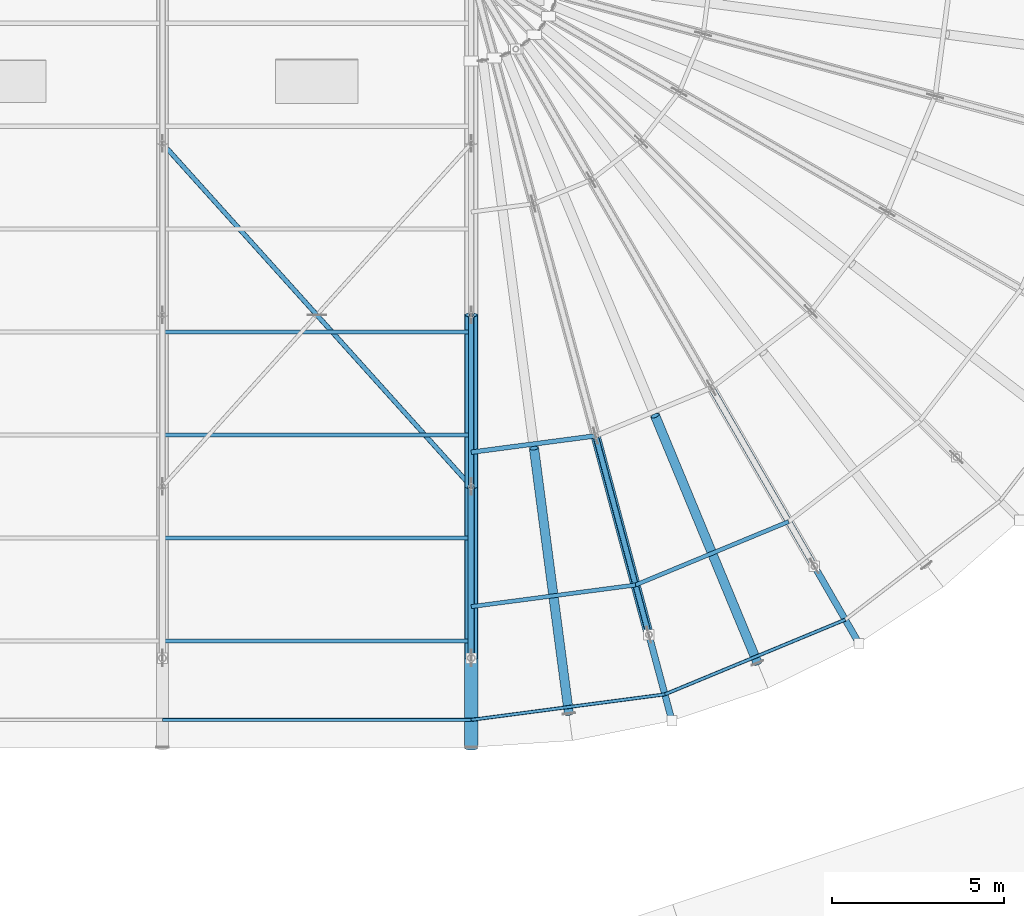
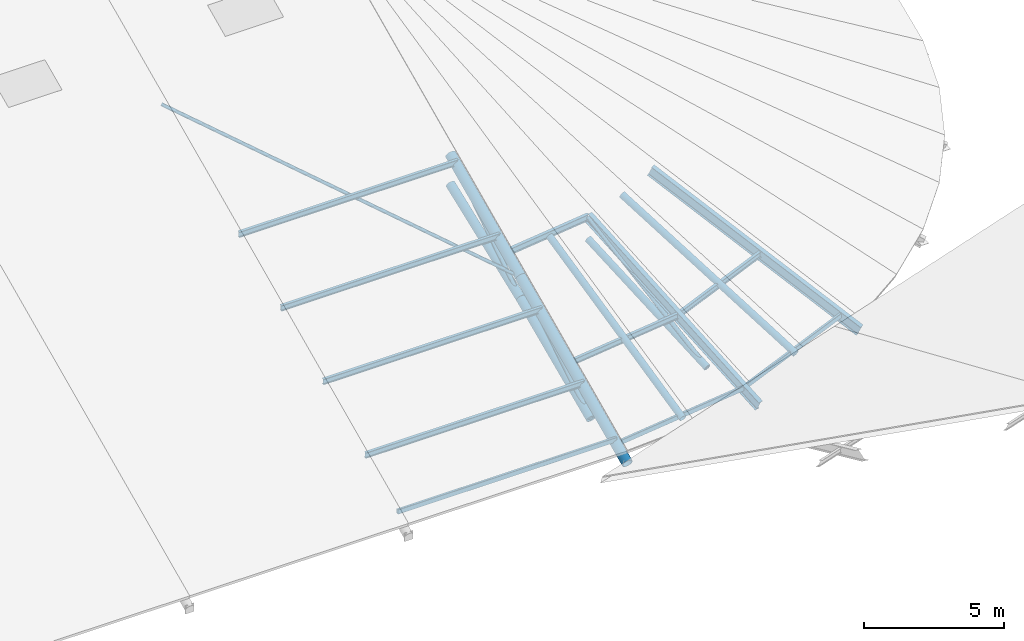
# One storey, part 33 of 107: 23 members.
"""IFC4 building model written with IfcOpenShell, lengths in metres."""

from ifc_helpers import new_model, si_unit, derived_unit, direction, frame, origin, origin_2d, place, context, subcontext, project, spatial, hollow_rectangle, hollow_circle, i_section, extrude, material, material_profile, profile_set, type_object, element, save


model = new_model("IFC4")

# Units and contexts
model_context = context("Model", 3, precision=1e-05, world=origin(), true_north=direction((0.0, 1.0)))
body_context = subcontext(model_context, "Body", "Model", "MODEL_VIEW")
ifc_project = project(units=[si_unit("LENGTHUNIT", "METRE"), si_unit("AREAUNIT", "SQUARE_METRE"), si_unit("VOLUMEUNIT", "CUBIC_METRE"), si_unit("PLANEANGLEUNIT", "RADIAN"), si_unit("MASSUNIT", "GRAM", prefix="KILO"), si_unit("THERMODYNAMICTEMPERATUREUNIT", "KELVIN"), si_unit("TIMEUNIT", "SECOND"), derived_unit("THERMALTRANSMITTANCEUNIT", [(si_unit("MASSUNIT", "GRAM", prefix="KILO"), 1), (si_unit("THERMODYNAMICTEMPERATUREUNIT", "KELVIN"), -1), (si_unit("TIMEUNIT", "SECOND"), -3)])], contexts=[model_context])

# Site, building, storey
site_placement = place(None, origin())
site = spatial("IfcSite", under=ifc_project, at=site_placement, CompositionType="ELEMENT")
building_placement = place(site_placement, origin())
building = spatial("IfcBuilding", under=site, at=building_placement, Name="Cambertide Market Hall", CompositionType="ELEMENT")
storey_placement = place(building_placement, frame((0.0, 0.0, 18.300048828125)))
storey = spatial("IfcBuildingStorey", under=building, at=storey_placement, Name="RF", CompositionType="ELEMENT", Elevation=18.300048828125)

# Members
ifc_material_1 = material(Name="Steel S355", Category="steel")
ifc_material_profile_1 = material_profile(ifc_material_1, hollow_circle(Radius=0.136474609375, WallThickness=0.010009765625, at=origin_2d()), Name="CHS 273x10")
ifc_profile_set_1 = profile_set([ifc_material_profile_1], Name="Steel S355")
member_type_1 = type_object("IfcMemberType", Name="Arched Truss Chord CHS 273x10", PredefinedType="CHORD", material=ifc_profile_set_1)
member_1_placement = place(storey_placement, frame((108.62353515625, 58.47705078125, -7.756103515625), z_axis=(0.23710402823, -0.885001969521, -0.400690895506), x_axis=(0.965934430412, 0.258786931944, 0.0)))
element("IfcMember", 1, at=member_1_placement, inside=storey, type_object=member_type_1, Name="Half-Cone Radial Arch Chord E-02-3", PredefinedType="CHORD", context=body_context, shape_type="SweptSolid", body=[
    extrude(hollow_circle(Radius=0.136474609375, WallThickness=0.010009765625, at=origin_2d()), origin(), (0.0, 0.0, 1.0), 6.548828125),
])
ifc_material_2 = material(Name="Steel S355", Category="steel")
ifc_material_profile_2 = material_profile(ifc_material_2, hollow_circle(Radius=0.177734375, WallThickness=0.012451171875, at=origin_2d()), Name="CHS 355.6x12.5")
ifc_profile_set_2 = profile_set([ifc_material_profile_2], Name="Steel S355")
member_type_2 = type_object("IfcMemberType", Name="Arched Truss Chord CHS 355.6x12.5", PredefinedType="CHORD", material=ifc_profile_set_2)
member_2_placement = place(storey_placement, frame((105.0, 52.0, -10.380126953125), z_axis=(0.0, 0.915087583381, 0.403255148438), x_axis=(-1.0, 0.0, 0.0)))
element("IfcMember", 2, at=member_2_placement, inside=storey, type_object=member_type_2, Name="Roof Truss 8 Arched Bottom Chord 1", PredefinedType="CHORD", context=body_context, shape_type="SweptSolid", body=[
    extrude(hollow_circle(Radius=0.177734375, WallThickness=0.012451171875, at=origin_2d()), origin(), (0.0, 0.0, 1.0), 5.4638671875),
])
member_3_placement = place(storey_placement, frame((105.0, 57.0, -8.1767578125), z_axis=(0.0, 0.933191676524, 0.359379040661), x_axis=(-1.0, 0.0, 0.0)))
element("IfcMember", 3, at=member_3_placement, inside=storey, type_object=member_type_2, Name="Roof Truss 8 Arched Bottom Chord 2", PredefinedType="CHORD", context=body_context, shape_type="SweptSolid", body=[
    extrude(hollow_circle(Radius=0.177734375, WallThickness=0.012451171875, at=origin_2d()), origin(), (0.0, 0.0, 1.0), 5.35791015625),
])
ifc_material_3 = material(Name="Steel S355", Category="steel")
ifc_material_profile_3 = material_profile(ifc_material_3, hollow_circle(Radius=0.203125, WallThickness=0.01416015625, at=origin_2d()), Name="CHS 406.4x14.2")
ifc_profile_set_3 = profile_set([ifc_material_profile_3], Name="Steel S355")
member_type_3 = type_object("IfcMemberType", Name="Arched Truss Chord CHS 406.4x14.2", PredefinedType="CHORD", material=ifc_profile_set_3)
member_4_placement = place(storey_placement, frame((105.0, 57.0, -7.25), z_axis=(0.0, 0.908487084298, 0.417912930721), x_axis=(-1.0, 0.0, 0.0)))
element("IfcMember", 4, at=member_4_placement, inside=storey, type_object=member_type_3, Name="Roof Truss 8 Top Chord 2", PredefinedType="CHORD", context=body_context, shape_type="SweptSolid", body=[
    extrude(hollow_circle(Radius=0.203125, WallThickness=0.01416015625, at=origin_2d()), origin(), (0.0, 0.0, 1.0), 5.503662109375),
])
ifc_material_4 = material(Name="Steel S355", Category="steel")
ifc_material_profile_4 = material_profile(ifc_material_4, hollow_circle(Radius=0.203125, WallThickness=0.01416015625, at=origin_2d()), Name="CHS 406.4x14.2")
ifc_profile_set_4 = profile_set([ifc_material_profile_4], Name="Steel S355")
member_type_4 = type_object("IfcMemberType", Name="Exterior Arched Truss Chord CHS 406.4x14.2", PredefinedType="CHORD", material=ifc_profile_set_4)
member_5_placement = place(storey_placement, frame((105.0, 49.39990234375, -10.74609375), z_axis=(0.0, 0.908488236671, 0.417910425606), x_axis=(-1.0, 0.0, 0.0)))
element("IfcMember", 5, at=member_5_placement, inside=storey, type_object=member_type_4, Name="Roof Truss 8 Top Chord 1", PredefinedType="CHORD", context=body_context, shape_type="SweptSolid", body=[
    extrude(hollow_circle(Radius=0.203125, WallThickness=0.01416015625, at=origin_2d()), origin(), (0.0, 0.0, 1.0), 8.36572265625),
])
ifc_material_5 = material(Name="Steel S355", Category="steel")
ifc_material_profile_5 = material_profile(ifc_material_5, hollow_circle(Radius=0.136474609375, WallThickness=0.010009765625, at=origin_2d()), Name="CHS 273x10")
ifc_profile_set_5 = profile_set([ifc_material_profile_5], Name="Steel S355")
member_type_5 = type_object("IfcMemberType", Name="Exterior Radial Fan Rafter CHS 273x10", PredefinedType="RAFTER", material=ifc_profile_set_5)
for number, where, z_axis, x_axis, name in (
    (6, (106.827392578125, 58.119873046875, -6.7900390625), (0.118576480501, -0.900726282096, -0.417889678043), (0.991445770734, 0.130519284757, 0.0), "RAF-E-01-B"),
    (7, (110.357666015625, 59.065673828125, -6.7900390625), (0.347657877112, -0.839343821258, -0.417894663997), (0.923883314027, 0.382674302852, 0.0), "RAF-E-03-B"),
):
    element("IfcMember", number, at=place(storey_placement, frame(where, z_axis=z_axis, x_axis=x_axis)), inside=storey, type_object=member_type_5, Name=name, PredefinedType="RAFTER", context=body_context, shape_type="SweptSolid", body=[
        extrude(hollow_circle(Radius=0.136474609375, WallThickness=0.010009765625, at=origin_2d()), origin(), (0.0, 0.0, 1.0), 8.585693359375),
    ])
ifc_material_6 = material(Name="Steel S355", Category="steel")
ifc_material_profile_6 = material_profile(ifc_material_6, i_section(OverallWidth=0.18994140625, OverallDepth=0.449951171875, WebThickness=0.009521484375, FlangeThickness=0.0146484375, FilletRadius=0.02099609375, at=origin_2d()), Name="IPE 450")
ifc_profile_set_6 = profile_set([ifc_material_profile_6], Name="Steel S355")
member_type_6 = type_object("IfcMemberType", Name="Exterior Radial Fan Rafter IPE 450", PredefinedType="RAFTER", material=ifc_profile_set_6)
member_6_placement = place(storey_placement, frame((108.62353515625, 58.47705078125, -6.7900390625), z_axis=(0.235134381364, -0.877530692762, -0.417913514931), x_axis=(0.965925622404, 0.258819806009, 0.0)))
element("IfcMember", 8, at=member_6_placement, inside=storey, type_object=member_type_6, Name="Half-Cone Radial Truss Rafter E-02-3", PredefinedType="RAFTER", context=body_context, shape_type="SweptSolid", body=[
    extrude(i_section(OverallWidth=0.18994140625, OverallDepth=0.449951171875, WebThickness=0.009521484375, FlangeThickness=0.0146484375, FilletRadius=0.02099609375, at=origin_2d()), origin(), (0.0, 0.0, 1.0), 9.46630859375),
])
member_7_placement = place(storey_placement, frame((112.0, 59.875732421875, -6.7900390625), z_axis=(0.454241443881, -0.78677929532, -0.417903159975), x_axis=(0.866028165386, 0.499995216735, 0.0)))
element("IfcMember", 9, at=member_7_placement, inside=storey, type_object=member_type_6, Name="Half-Cone Radial Truss Rafter E-04-3", PredefinedType="RAFTER", context=body_context, shape_type="SweptSolid", body=[
    extrude(i_section(OverallWidth=0.18994140625, OverallDepth=0.449951171875, WebThickness=0.009521484375, FlangeThickness=0.0146484375, FilletRadius=0.02099609375, at=origin_2d()), origin(), (0.0, 0.0, 1.0), 9.466552734375),
])
ifc_material_7 = material(Name="Steel S275", Category="steel")
ifc_material_profile_7 = material_profile(ifc_material_7, hollow_rectangle(XDim=0.10009765625, YDim=0.199951171875, WallThickness=0.00634765625, InnerFilletRadius=0.00634765625, OuterFilletRadius=0.0126953125, at=origin_2d()), Name="RHS 200x100x6.3")
ifc_profile_set_7 = profile_set([ifc_material_profile_7], Name="Steel S275")
member_type_7 = type_object("IfcMemberType", Name="Exterior Roof Purlin RHS 200x100x6.3", PredefinedType="PURLIN", material=ifc_profile_set_7)
member_8_placement = place(storey_placement, frame((96.0, 50.199951171875, -10.16796875), z_axis=(1.0, 0.0, 0.0), x_axis=(0.0, 1.0, 0.0)))
element("IfcMember", 10, at=member_8_placement, inside=storey, type_object=member_type_7, Name="Barrel Roof Purlin 7-01", PredefinedType="PURLIN", context=body_context, shape_type="SweptSolid", body=[
    extrude(hollow_rectangle(XDim=0.10009765625, YDim=0.199951171875, WallThickness=0.00634765625, InnerFilletRadius=0.00634765625, OuterFilletRadius=0.0126953125, at=origin_2d()), origin(), (0.0, 0.0, 1.0), 9.0),
])
member_9_placement = place(storey_placement, frame((105.0, 50.199951171875, -10.3779296875), z_axis=(0.991442756491, 0.130542179395, 0.0), x_axis=(-0.130542179395, 0.991442756491, 0.0)))
element("IfcMember", 11, at=member_9_placement, inside=storey, type_object=member_type_7, Name="CPUR-E-218-01", PredefinedType="PURLIN", context=body_context, shape_type="SweptSolid", body=[
    extrude(hollow_rectangle(XDim=0.10009765625, YDim=0.199951171875, WallThickness=0.00634765625, InnerFilletRadius=0.00634765625, OuterFilletRadius=0.0126953125, at=origin_2d()), origin(), (0.0, 0.0, 1.0), 5.69091796875),
])
member_10_placement = place(storey_placement, frame((110.642333984375, 50.94287109375, -10.3779296875), z_axis=(0.923880883447, 0.382680170901, 0.0), x_axis=(-0.382680170901, 0.923880883447, 0.0)))
element("IfcMember", 12, at=member_10_placement, inside=storey, type_object=member_type_7, Name="CPUR-E-218-02", PredefinedType="PURLIN", context=body_context, shape_type="SweptSolid", body=[
    extrude(hollow_rectangle(XDim=0.10009765625, YDim=0.199951171875, WallThickness=0.00634765625, InnerFilletRadius=0.00634765625, OuterFilletRadius=0.0126953125, at=origin_2d()), origin(), (0.0, 0.0, 1.0), 5.690673828125),
])
ifc_material_8 = material(Name="Steel S275", Category="steel")
ifc_material_profile_8 = material_profile(ifc_material_8, i_section(OverallWidth=0.1201171875, OverallDepth=0.239990234375, WebThickness=0.006103515625, FlangeThickness=0.009765625, FilletRadius=0.014892578125, at=origin_2d()), Name="IPE 240")
ifc_profile_set_8 = profile_set([ifc_material_profile_8], Name="Steel S275")
member_type_8 = type_object("IfcMemberType", Name="Roof Purlin IPE 240", PredefinedType="PURLIN", material=ifc_profile_set_8)
for number, where, z_axis, x_axis, name in (
    (13, (96.0, 52.5, -9.110107421875), (1.0, 0.0, 0.0), (0.0, 1.0, 0.0), "Barrel Roof Purlin 7-02"),
    (14, (96.0, 55.5, -7.72998046875), (1.0, 0.0, 0.0), (0.0, 1.0, 0.0), "Barrel Roof Purlin 7-03"),
    (15, (96.0, 58.5, -6.35009765625), (1.0, 0.0, 0.0), (0.0, 1.0, 0.0), "Barrel Roof Purlin 7-04"),
    (16, (96.0, 61.5, -4.969970703125), (1.0, 0.0, 0.0), (0.0, 1.0, 0.0), "Barrel Roof Purlin 7-05"),
):
    element("IfcMember", number, at=place(storey_placement, frame(where, z_axis=z_axis, x_axis=x_axis)), inside=storey, type_object=member_type_8, Name=name, PredefinedType="PURLIN", context=body_context, shape_type="SweptSolid", body=[
        extrude(i_section(OverallWidth=0.1201171875, OverallDepth=0.239990234375, WebThickness=0.006103515625, FlangeThickness=0.009765625, FilletRadius=0.014892578125, at=origin_2d()), origin(), (0.0, 0.0, 1.0), 9.0),
    ])
member_11_placement = place(storey_placement, frame((105.0, 53.5, -8.860107421875), z_axis=(0.991444657148, 0.130527743461, 0.0), x_axis=(-0.130527743461, 0.991444657148, 0.0)))
element("IfcMember", 17, at=member_11_placement, inside=storey, type_object=member_type_8, Name="CPUR-E-185-01", PredefinedType="PURLIN", context=body_context, shape_type="SweptSolid", body=[
    extrude(i_section(OverallWidth=0.1201171875, OverallDepth=0.239990234375, WebThickness=0.006103515625, FlangeThickness=0.009765625, FilletRadius=0.014892578125, at=origin_2d()), origin(), (0.0, 0.0, 1.0), 4.829345703125),
])
member_12_placement = place(storey_placement, frame((109.7880859375, 54.13037109375, -8.860107421875), z_axis=(0.923882518405, 0.382676223699, 0.0), x_axis=(-0.382676223699, 0.923882518405, 0.0)))
element("IfcMember", 18, at=member_12_placement, inside=storey, type_object=member_type_8, Name="CPUR-E-185-02", PredefinedType="PURLIN", context=body_context, shape_type="SweptSolid", body=[
    extrude(i_section(OverallWidth=0.1201171875, OverallDepth=0.239990234375, WebThickness=0.006103515625, FlangeThickness=0.009765625, FilletRadius=0.014892578125, at=origin_2d()), origin(), (0.0, 0.0, 1.0), 4.82958984375),
])
ifc_material_9 = material(Name="Steel S275", Category="steel")
ifc_material_profile_9 = material_profile(ifc_material_9, i_section(OverallWidth=0.135009765625, OverallDepth=0.27001953125, WebThickness=0.006591796875, FlangeThickness=0.01025390625, FilletRadius=0.014892578125, at=origin_2d()), Name="IPE 270")
ifc_profile_set_9 = profile_set([ifc_material_profile_9], Name="Steel S275")
member_type_9 = type_object("IfcMemberType", Name="Roof Purlin IPE 270", PredefinedType="PURLIN", material=ifc_profile_set_9)
member_13_placement = place(storey_placement, frame((105.0, 58.0, -6.7900390625), z_axis=(0.991444743541, 0.130527087244, 0.0), x_axis=(-0.130527087244, 0.991444743541, 0.0)))
element("IfcMember", 19, at=member_13_placement, inside=storey, type_object=member_type_9, Name="CPUR-E-140-01", PredefinedType="PURLIN", context=body_context, shape_type="SweptSolid", body=[
    extrude(i_section(OverallWidth=0.135009765625, OverallDepth=0.27001953125, WebThickness=0.006591796875, FlangeThickness=0.01025390625, FilletRadius=0.014892578125, at=origin_2d()), origin(), (0.0, 0.0, 1.0), 3.65478515625),
])
ifc_material_10 = material(Name="Steel S275", Category="steel")
ifc_material_profile_10 = material_profile(ifc_material_10, hollow_circle(Radius=0.06982421875, WallThickness=0.0048828125, at=origin_2d()), Name="CHS 139.7x5")
ifc_profile_set_10 = profile_set([ifc_material_profile_10], Name="Steel S275")
member_type_10 = type_object("IfcMemberType", Name="Structural Brace CHS 139.7x5", PredefinedType="BRACE", material=ifc_profile_set_10)
member_14_placement = place(storey_placement, frame((96.0, 67.0, -2.650146484375), z_axis=(0.632989261711, -0.703321401901, -0.323517542315), x_axis=(0.743294146247, 0.668964731622, 0.0)))
element("IfcMember", 20, at=member_14_placement, inside=storey, type_object=member_type_10, Name="Roof Wind X-Brace Continuous Diagonal 7-S1", PredefinedType="BRACE", context=body_context, shape_type="SweptSolid", body=[
    extrude(hollow_circle(Radius=0.06982421875, WallThickness=0.0048828125, at=origin_2d()), origin(), (0.0, 0.0, 1.0), 14.21826171875),
])
ifc_material_11 = material(Name="Steel S355", Category="steel")
ifc_material_profile_11 = material_profile(ifc_material_11, hollow_circle(Radius=0.084228515625, WallThickness=0.00634765625, at=origin_2d()), Name="CHS 168.3x6.3")
ifc_profile_set_11 = profile_set([ifc_material_profile_11], Name="Steel S355")
member_type_11 = type_object("IfcMemberType", Name="Structural Brace CHS 168.3x6.3", PredefinedType="BRACE", material=ifc_profile_set_11)
member_15_placement = place(storey_placement, frame((105.0, 57.0, -8.1767578125), z_axis=(0.0, 0.840220073362, 0.542245542462), x_axis=(-1.0, 0.0, 0.0)))
element("IfcMember", 21, at=member_15_placement, inside=storey, type_object=member_type_11, Name="Roof Truss 8 Web Diagonal 2", PredefinedType="BRACE", context=body_context, shape_type="SweptSolid", body=[
    extrude(hollow_circle(Radius=0.084228515625, WallThickness=0.00634765625, at=origin_2d()), origin(), (0.0, 0.0, 1.0), 5.950927734375),
])
member_16_placement = place(storey_placement, frame((110.17626953125, 52.681396484375, -10.380126953125), z_axis=(-0.222070132815, 0.828887245737, 0.513449890415), x_axis=(-0.965934430412, -0.258786931944, 0.0)))
element("IfcMember", 22, at=member_16_placement, inside=storey, type_object=member_type_11, Name="RWB-E-02-D3", PredefinedType="BRACE", context=body_context, shape_type="SweptSolid", body=[
    extrude(hollow_circle(Radius=0.084228515625, WallThickness=0.00634765625, at=origin_2d()), origin(), (0.0, 0.0, 1.0), 6.9921875),
])
ifc_material_12 = material(Name="Steel S355", Category="steel")
ifc_material_profile_12 = material_profile(ifc_material_12, hollow_circle(Radius=0.096923828125, WallThickness=0.00634765625, at=origin_2d()), Name="CHS 193.7x6.3")
ifc_profile_set_12 = profile_set([ifc_material_profile_12], Name="Steel S355")
member_type_12 = type_object("IfcMemberType", Name="Structural Brace CHS 193.7x6.3", PredefinedType="BRACE", material=ifc_profile_set_12)
member_17_placement = place(storey_placement, frame((105.0, 52.0, -10.380126953125), z_axis=(0.0, 0.847607454032, 0.530623787507), x_axis=(-1.0, 0.0, 0.0)))
element("IfcMember", 23, at=member_17_placement, inside=storey, type_object=member_type_12, Name="Roof Truss 8 Web Diagonal 1", PredefinedType="BRACE", context=body_context, shape_type="SweptSolid", body=[
    extrude(hollow_circle(Radius=0.096923828125, WallThickness=0.00634765625, at=origin_2d()), origin(), (0.0, 0.0, 1.0), 5.89892578125),
])

save(model, "model.ifc")
